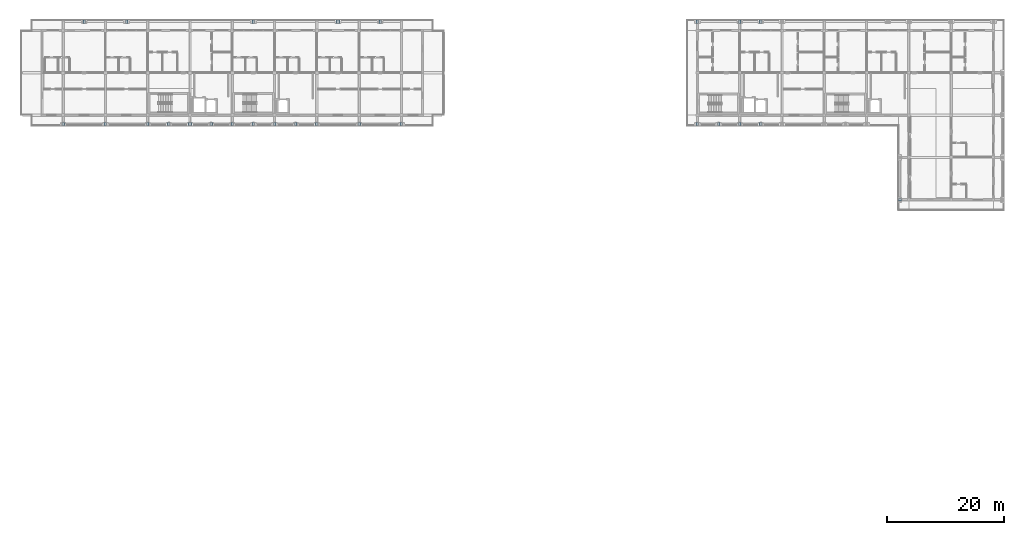
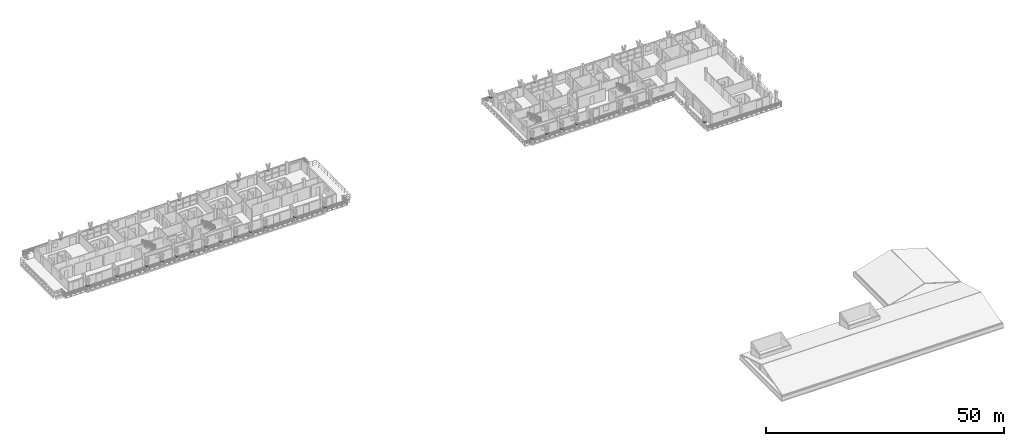
# One storey, part 25 of 45: 26 plates.
"""IFC4 building model written with IfcOpenShell, lengths in metres."""

from ifc_helpers import new_model, si_unit, direction, frame, origin, origin_2d, place, context, subcontext, project, spatial, rectangle, extrude, material, layer, layer_set, type_object, element, save


model = new_model("IFC4")

# Units and contexts
model_context = context("Model", 3, precision=1e-05, world=origin(), true_north=direction((0.0, 1.0)))
body_context = subcontext(model_context, "Body", "Model", "MODEL_VIEW")
ifc_project = project(units=[si_unit("LENGTHUNIT", "METRE"), si_unit("AREAUNIT", "SQUARE_METRE"), si_unit("VOLUMEUNIT", "CUBIC_METRE"), si_unit("PLANEANGLEUNIT", "RADIAN"), si_unit("MASSUNIT", "GRAM", prefix="KILO")], contexts=[model_context])

# Site, building, storey
site_placement = place(None, origin())
site = spatial("IfcSite", under=ifc_project, at=site_placement, CompositionType="ELEMENT")
building_placement = place(site_placement, origin())
building = spatial("IfcBuilding", under=site, at=building_placement, Name="Suanplinth Sawtooth Commons", CompositionType="ELEMENT")
storey_placement = place(building_placement, frame((0.0, 0.0, 38.0)))
storey = spatial("IfcBuildingStorey", under=building, at=storey_placement, Name="L11", CompositionType="ELEMENT", Elevation=38.0)

# Plates
ifc_material = material(Name="Pigmented precast concrete C40/50", Category="concrete")
ifc_layer = layer(ifc_material, 0.06005859375, Name="Precast Y-blade bifurcation node plate 60mm")
ifc_layer_set = layer_set([ifc_layer], Name="Pigmented precast concrete C40/50")
plate_type = type_object("IfcPlateType", Name="PL-04", PredefinedType="USERDEFINED", material=ifc_layer_set)
for number, where, z_axis, x_axis, name in (
    (1, (32.39990234375, 123.919921875, 1.119873046875), (0.0, 0.0, 1.0), (1.0, 0.0, 0.0), "Y-Blade Node Plate L11-A-N-01"),
    (2, (39.60009765625, 123.919921875, 1.119873046875), (0.0, 0.0, 1.0), (1.0, 0.0, 0.0), "Y-Blade Node Plate L11-A-N-02"),
    (3, (61.199951171875, 123.919921875, 1.119873046875), (0.0, 0.0, 1.0), (1.0, 0.0, 0.0), "Y-Blade Node Plate L11-A-N-03"),
    (4, (75.60009765625, 123.919921875, 1.119873046875), (0.0, 0.0, 1.0), (1.0, 0.0, 0.0), "Y-Blade Node Plate L11-A-N-04"),
    (5, (82.800048828125, 123.919921875, 1.119873046875), (0.0, 0.0, 1.0), (1.0, 0.0, 0.0), "Y-Blade Node Plate L11-A-N-05"),
    (6, (28.800048828125, 106.47998046875, 1.119873046875), (0.0, 0.0, 1.0), (1.0, 0.0, 0.0), "Y-Blade Node Plate L11-A-S-06"),
    (7, (36.0, 106.47998046875, 1.119873046875), (0.0, 0.0, 1.0), (1.0, 0.0, 0.0), "Y-Blade Node Plate L11-A-S-07"),
    (8, (43.199951171875, 106.47998046875, 1.119873046875), (0.0, 0.0, 1.0), (1.0, 0.0, 0.0), "Y-Blade Node Plate L11-A-S-08"),
    (9, (46.800048828125, 106.47998046875, 1.119873046875), (0.0, 0.0, 1.0), (1.0, 0.0, 0.0), "Y-Blade Node Plate L11-A-S-09"),
    (10, (50.39990234375, 106.47998046875, 1.119873046875), (0.0, 0.0, 1.0), (1.0, 0.0, 0.0), "Y-Blade Node Plate L11-A-S-10"),
    (11, (54.0, 106.47998046875, 1.119873046875), (0.0, 0.0, 1.0), (1.0, 0.0, 0.0), "Y-Blade Node Plate L11-A-S-11"),
    (12, (57.60009765625, 106.47998046875, 1.119873046875), (0.0, 0.0, 1.0), (1.0, 0.0, 0.0), "Y-Blade Node Plate L11-A-S-12"),
    (13, (61.199951171875, 106.47998046875, 1.119873046875), (0.0, 0.0, 1.0), (1.0, 0.0, 0.0), "Y-Blade Node Plate L11-A-S-13"),
    (14, (64.800048828125, 106.47998046875, 1.119873046875), (0.0, 0.0, 1.0), (1.0, 0.0, 0.0), "Y-Blade Node Plate L11-A-S-14"),
    (15, (68.39990234375, 106.47998046875, 1.119873046875), (0.0, 0.0, 1.0), (1.0, 0.0, 0.0), "Y-Blade Node Plate L11-A-S-15"),
    (16, (72.0, 106.47998046875, 1.119873046875), (0.0, 0.0, 1.0), (1.0, 0.0, 0.0), "Y-Blade Node Plate L11-A-S-16"),
    (17, (79.199951171875, 106.47998046875, 1.119873046875), (0.0, 0.0, 1.0), (1.0, 0.0, 0.0), "Y-Blade Node Plate L11-A-S-17"),
    (18, (86.39990234375, 106.47998046875, 1.119873046875), (0.0, 0.0, 1.0), (1.0, 0.0, 0.0), "Y-Blade Node Plate L11-A-S-18"),
    (19, (136.800048828125, 123.919921875, 1.119873046875), (0.0, 0.0, 1.0), (1.0, 0.0, 0.0), "Y-Blade Node Plate L11-B-N-01"),
    (20, (144.0, 123.919921875, 1.119873046875), (0.0, 0.0, 1.0), (1.0, 0.0, 0.0), "Y-Blade Node Plate L11-B-N-02"),
    (21, (147.60009765625, 123.919921875, 1.119873046875), (0.0, 0.0, 1.0), (1.0, 0.0, 0.0), "Y-Blade Node Plate L11-B-N-03"),
    (22, (136.800048828125, 106.47998046875, 1.119873046875), (0.0, 0.0, 1.0), (1.0, 0.0, 0.0), "Y-Blade Node Plate L11-B-SC-13"),
    (23, (140.39990234375, 106.47998046875, 1.119873046875), (0.0, 0.0, 1.0), (1.0, 0.0, 0.0), "Y-Blade Node Plate L11-B-SC-14"),
    (24, (144.0, 106.47998046875, 1.119873046875), (0.0, 0.0, 1.0), (1.0, 0.0, 0.0), "Y-Blade Node Plate L11-B-SC-15"),
    (25, (147.60009765625, 106.47998046875, 1.119873046875), (0.0, 0.0, 1.0), (1.0, 0.0, 0.0), "Y-Blade Node Plate L11-B-SC-16"),
    (26, (171.280029296875, 93.60009765625, 1.119873046875), (0.0, 0.0, 1.0), (0.0, 1.0, 0.0), "Y-Blade Node Plate L11-B-WC-21"),
):
    element("IfcPlate", number, at=place(storey_placement, frame(where, z_axis=z_axis, x_axis=x_axis)), inside=storey, type_object=plate_type, Name=name, ObjectType="GUSSET PLATE", PredefinedType="USERDEFINED", context=body_context, shape_type="SweptSolid", body=[
        extrude(rectangle(XDim=0.43994140625, YDim=0.550048828125, at=origin_2d()), origin(), (0.0, 0.0, 1.0), 0.06005859375),
    ])

save(model, "model.ifc")
